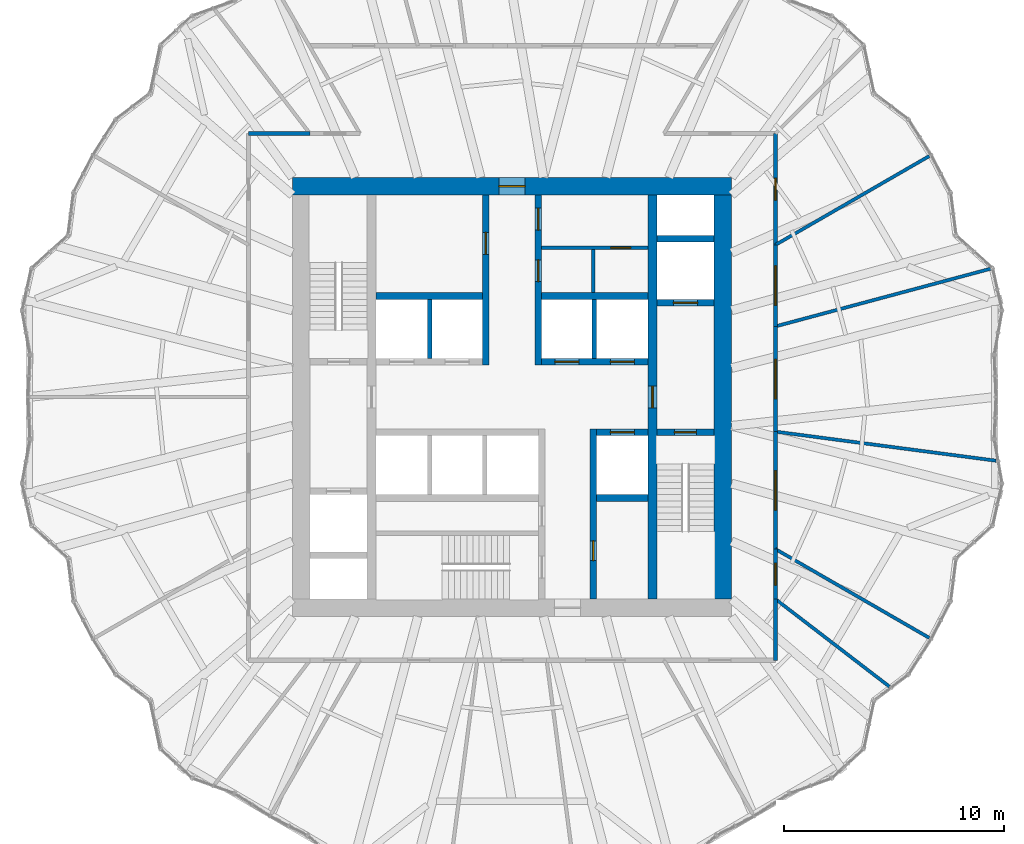
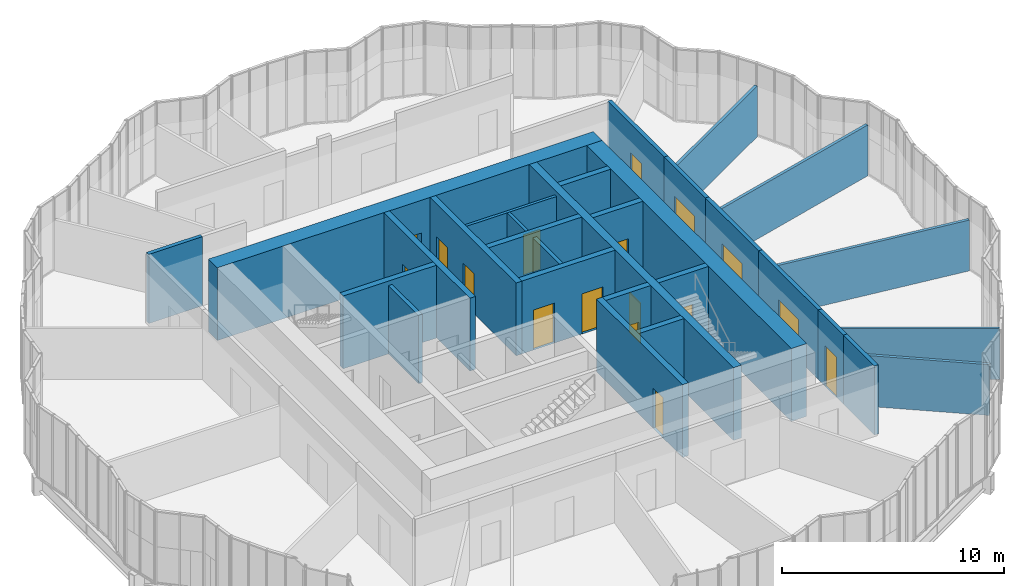
# One storey, part 21 of 23: 30 walls, 17 doors, 17 openings.
"""IFC4 building model written with IfcOpenShell, lengths in metres."""

from ifc_helpers import new_model, si_unit, direction, frame, frame_2d, origin, place, context, subcontext, project, spatial, rectangle, extrude, material, layer, layer_set, type_object, element, fill, save


model = new_model("IFC4")

# Units and contexts
model_context = context("Model", 3, precision=1e-05, world=origin(), true_north=direction((0.0, 1.0)))
body_context = subcontext(model_context, "Body", "Model", "MODEL_VIEW")
ifc_project = project(units=[si_unit("LENGTHUNIT", "METRE"), si_unit("AREAUNIT", "SQUARE_METRE"), si_unit("VOLUMEUNIT", "CUBIC_METRE"), si_unit("PLANEANGLEUNIT", "RADIAN"), si_unit("MASSUNIT", "GRAM", prefix="KILO")], contexts=[model_context])

# Site, building, storey
site_placement = place(None, origin())
site = spatial("IfcSite", under=ifc_project, at=site_placement, CompositionType="ELEMENT")
building_placement = place(site_placement, origin())
building = spatial("IfcBuilding", under=site, at=building_placement, Name="Golbaran Civic Tower", CompositionType="ELEMENT")
storey_placement = place(building_placement, frame((0.0, 0.0, 33.0)))
storey = spatial("IfcBuildingStorey", under=building, at=storey_placement, Name="L07", CompositionType="ELEMENT", Elevation=33.0)

# Wall, opening, door
ifc_material_1 = material(Name="Concrete block", Category="concrete")
ifc_layer_1 = layer(ifc_material_1, 0.14990234375, Name="Concrete block")
ifc_layer_set_1 = layer_set([ifc_layer_1], Name="Concrete block")
wall_type_1 = type_object("IfcWallType", Name="BLOCKWORK PARTITION 150", PredefinedType="PARTITIONING", material=ifc_layer_set_1)
wall_1_placement = place(storey_placement, frame((1.35009765625, 6.800048828125, 0.0), z_axis=(0.0, 0.0, 1.0), x_axis=(1.0, 0.0, 0.0)))
wall_1 = element("IfcWall", 1, at=wall_1_placement, inside=storey, type_object=wall_type_1, Name="Toilet block partition TN1 L07", PredefinedType="PARTITIONING", context=body_context, shape_type="SweptSolid", body=[
    extrude(rectangle(XDim=4.849853515625, YDim=0.14990234375, at=frame_2d((2.4248046875, 0.0))), origin(), (0.0, 0.0, 1.0), 3.75),
])
opening_1_placement = place(wall_1_placement, frame((3.14990234375, 0.0, 0.0)))
opening_1 = element("IfcOpeningElement", 2, at=opening_1_placement, cuts=wall_1, Name="Opening L07.CLN", PredefinedType="OPENING", context=body_context, shape_type="SweptSolid", body=[
    extrude(rectangle(XDim=0.89990234375, YDim=2.199951171875, at=frame_2d((0.449951171875, 1.10009765625))), frame((0.0, 0.0849609375, 0.0), z_axis=(0.0, -1.0, 0.0), x_axis=(1.0, 0.0, 0.0)), (0.0, 0.0, 1.0), 0.169921875),
])
ifc_material_2 = material(Name="Timber door set in steel frame", Category="steel")
door_type_1 = type_object("IfcDoorType", Name="RISER DOOR 900x2200", OperationType="SINGLE_SWING_LEFT", PredefinedType="DOOR", material=ifc_material_2)
door_1_placement = place(opening_1_placement, origin())
door_1 = element("IfcDoor", 3, at=door_1_placement, inside=storey, type_object=door_type_1, Name="Cleaner's Store door", OperationType="SINGLE_SWING_RIGHT", OverallHeight=2.199951171875, OverallWidth=0.89990234375, PredefinedType="DOOR", context=body_context, shape_type="SweptSolid", body=[
    extrude(rectangle(XDim=0.89990234375, YDim=2.199951171875, at=frame_2d((0.449951171875, 1.10009765625))), frame((0.0, 0.02490234375, 0.0), z_axis=(0.0, -1.0, 0.0), x_axis=(1.0, 0.0, 0.0)), (0.0, 0.0, 1.0), 0.050048828125),
])
fill(opening_1, door_1)

# Wall
wall_2_placement = place(storey_placement, frame((3.699951171875, 4.75, 0.0), z_axis=(0.0, 0.0, 1.0), x_axis=(0.0, 1.0, 0.0)))
element("IfcWall", 4, at=wall_2_placement, inside=storey, type_object=wall_type_1, Name="Toilet block partition TN2 L07", PredefinedType="PARTITIONING", context=body_context, shape_type="SweptSolid", body=[
    extrude(rectangle(XDim=1.97509765625, YDim=0.14990234375, at=frame_2d((0.987548828125, 0.0))), origin(), (0.0, 0.0, 1.0), 3.75),
])

# Wall, opening, door
ifc_material_3 = material(Name="Concrete C50/60", Category="concrete")
ifc_layer_2 = layer(ifc_material_3, 0.39990234375, Name="Concrete C50/60")
ifc_layer_set_2 = layer_set([ifc_layer_2], Name="Concrete C50/60")
wall_type_2 = type_object("IfcWallType", Name="CORE WALL CONCRETE 400", PredefinedType="SOLIDWALL", material=ifc_layer_set_2)
wall_3_placement = place(storey_placement, frame((6.39990234375, 9.199951171875, 0.0), z_axis=(0.0, 0.0, 1.0), x_axis=(0.0, -1.0, 0.0)))
wall_3 = element("IfcWall", 5, at=wall_3_placement, inside=storey, type_object=wall_type_2, Name="Core wall IE L07", PredefinedType="SOLIDWALL", context=body_context, shape_type="SweptSolid", body=[
    extrude(rectangle(XDim=18.39990234375, YDim=0.39990234375, at=frame_2d((9.199951171875, 0.0))), origin(), (0.0, 0.0, 1.0), 4.0),
])
opening_2_placement = place(wall_3_placement, frame((8.699951171875, 0.0, 0.0)))
opening_2 = element("IfcOpeningElement", 6, at=opening_2_placement, cuts=wall_3, Name="Opening L07.FL2", PredefinedType="OPENING", context=body_context, shape_type="SweptSolid", body=[
    extrude(rectangle(XDim=1.0, YDim=2.199951171875, at=frame_2d((0.5, 1.10009765625))), frame((0.0, 0.2099609375, 0.0), z_axis=(0.0, -1.0, 0.0), x_axis=(1.0, 0.0, 0.0)), (0.0, 0.0, 1.0), 0.419921875),
])
door_type_2 = type_object("IfcDoorType", Name="STAIR DOOR 1000x2200", OperationType="SINGLE_SWING_LEFT", PredefinedType="DOOR", material=ifc_material_2)
door_2_placement = place(opening_2_placement, origin())
door_2 = element("IfcDoor", 7, at=door_2_placement, inside=storey, type_object=door_type_2, Name="Fire-fighting lobby FL2 door", OperationType="SINGLE_SWING_RIGHT", OverallHeight=2.199951171875, OverallWidth=1.0, PredefinedType="DOOR", context=body_context, shape_type="SweptSolid", body=[
    extrude(rectangle(XDim=1.0, YDim=2.199951171875, at=frame_2d((0.5, 1.10009765625))), frame((0.0, 0.02490234375, 0.0), z_axis=(0.0, -1.0, 0.0), x_axis=(1.0, 0.0, 0.0)), (0.0, 0.0, 1.0), 0.050048828125),
])
fill(opening_2, door_2)

ifc_layer_3 = layer(ifc_material_3, 0.800048828125, Name="Concrete C50/60")
ifc_layer_set_3 = layer_set([ifc_layer_3], Name="Concrete C50/60")
wall_type_3 = type_object("IfcWallType", Name="CORE WALL CONCRETE 800", PredefinedType="SOLIDWALL", material=ifc_layer_set_3)
wall_4_placement = place(storey_placement, frame((-10.0, 9.60009765625, 0.0), z_axis=(0.0, 0.0, 1.0), x_axis=(1.0, 0.0, 0.0)))
wall_4 = element("IfcWall", 8, at=wall_4_placement, inside=storey, type_object=wall_type_3, Name="Core wall CN L07", PredefinedType="SOLIDWALL", context=body_context, shape_type="SweptSolid", body=[
    extrude(rectangle(XDim=20.0, YDim=0.800048828125, at=frame_2d((10.0, 0.0))), origin(), (0.0, 0.0, 1.0), 4.0),
])
opening_3_placement = place(wall_4_placement, frame((9.39990234375, 0.0, 0.0)))
opening_3 = element("IfcOpeningElement", 9, at=opening_3_placement, cuts=wall_4, Name="Opening L07.CN", PredefinedType="OPENING", context=body_context, shape_type="SweptSolid", body=[
    extrude(rectangle(XDim=1.199951171875, YDim=2.199951171875, at=frame_2d((0.60009765625, 1.10009765625))), frame((0.0, 0.409912109375, 0.0), z_axis=(0.0, -1.0, 0.0), x_axis=(1.0, 0.0, 0.0)), (0.0, 0.0, 1.0), 0.820068359375),
])
door_type_3 = type_object("IfcDoorType", Name="CORE DOOR 1200x2200", OperationType="DOUBLE_DOOR_SINGLE_SWING", PredefinedType="DOOR", material=ifc_material_2)
door_3_placement = place(opening_3_placement, origin())
door_3 = element("IfcDoor", 10, at=door_3_placement, inside=storey, type_object=door_type_3, Name="Core door north", OperationType="DOUBLE_DOOR_SINGLE_SWING", OverallHeight=2.199951171875, OverallWidth=1.199951171875, PredefinedType="DOOR", context=body_context, shape_type="SweptSolid", body=[
    extrude(rectangle(XDim=1.199951171875, YDim=2.199951171875, at=frame_2d((0.60009765625, 1.10009765625))), frame((0.0, 0.02490234375, 0.0), z_axis=(0.0, -1.0, 0.0), x_axis=(1.0, 0.0, 0.0)), (0.0, 0.0, 1.0), 0.050048828125),
])
fill(opening_3, door_3)

# Wall
wall_5_placement = place(storey_placement, frame((9.60009765625, -9.199951171875, 0.0), z_axis=(0.0, 0.0, 1.0), x_axis=(0.0, 1.0, 0.0)))
element("IfcWall", 11, at=wall_5_placement, inside=storey, type_object=wall_type_3, Name="Core wall CE L07", PredefinedType="SOLIDWALL", context=body_context, shape_type="SweptSolid", body=[
    extrude(rectangle(XDim=18.39990234375, YDim=0.800048828125, at=frame_2d((9.199951171875, 0.0))), origin(), (0.0, 0.0, 1.0), 4.0),
])

# Wall, opening, door
ifc_material_4 = material(Name="Gypsum board on steel studs, fire-rated", Category="steel")
ifc_layer_4 = layer(ifc_material_4, 0.199951171875, Name="Gypsum board on steel studs, fire-rated")
ifc_layer_set_4 = layer_set([ifc_layer_4], Name="Gypsum board on steel studs, fire-rated")
wall_type_4 = type_object("IfcWallType", Name="CORRIDOR WALL 200", PredefinedType="PARTITIONING", material=ifc_layer_set_4)
wall_6_placement = place(storey_placement, frame((12.0, -6.92822265625, 0.0), z_axis=(0.0, 0.0, 1.0), x_axis=(0.0, 1.0, 0.0)))
wall_6 = element("IfcWall", 12, at=wall_6_placement, inside=storey, type_object=wall_type_4, Name="Corridor wall L07", PredefinedType="PARTITIONING", context=body_context, shape_type="SweptSolid", body=[
    extrude(rectangle(XDim=5.348388671875, YDim=0.199951171875, at=frame_2d((2.67431640625, 0.0))), origin(), (0.0, 0.0, 1.0), 3.800048828125),
])
opening_4_placement = place(wall_6_placement, frame((1.774169921875, 0.0, 0.0)))
opening_4 = element("IfcOpeningElement", 13, at=opening_4_placement, cuts=wall_6, Name="Opening L07.05", PredefinedType="OPENING", context=body_context, shape_type="SweptSolid", body=[
    extrude(rectangle(XDim=1.800048828125, YDim=2.199951171875, at=frame_2d((0.89990234375, 1.10009765625))), frame((0.0, 0.10986328125, 0.0), z_axis=(0.0, -1.0, 0.0), x_axis=(1.0, 0.0, 0.0)), (0.0, 0.0, 1.0), 0.219970703125),
])
door_type_4 = type_object("IfcDoorType", Name="OFFICE DOUBLE DOOR 1800x2200", OperationType="DOUBLE_DOOR_SINGLE_SWING", PredefinedType="DOOR", material=ifc_material_2)
door_4_placement = place(opening_4_placement, origin())
door_4 = element("IfcDoor", 14, at=door_4_placement, inside=storey, type_object=door_type_4, Name="Open Office door L07", OperationType="DOUBLE_DOOR_SINGLE_SWING", OverallHeight=2.199951171875, OverallWidth=1.800048828125, PredefinedType="DOOR", context=body_context, shape_type="SweptSolid", body=[
    extrude(rectangle(XDim=1.800048828125, YDim=2.199951171875, at=frame_2d((0.89990234375, 1.10009765625))), frame((0.0, 0.02490234375, 0.0), z_axis=(0.0, -1.0, 0.0), x_axis=(1.0, 0.0, 0.0)), (0.0, 0.0, 1.0), 0.050048828125),
])
fill(opening_4, door_4)

wall_7_placement = place(storey_placement, frame((12.0, -1.579833984375, 0.0), z_axis=(0.0, 0.0, 1.0), x_axis=(0.0, 1.0, 0.0)))
wall_7 = element("IfcWall", 15, at=wall_7_placement, inside=storey, type_object=wall_type_4, Name="Corridor wall L07", PredefinedType="PARTITIONING", context=body_context, shape_type="SweptSolid", body=[
    extrude(rectangle(XDim=4.795166015625, YDim=0.199951171875, at=frame_2d((2.3974609375, 0.0))), origin(), (0.0, 0.0, 1.0), 3.800048828125),
])
opening_5_placement = place(wall_7_placement, frame((1.49755859375, 0.0, 0.0)))
opening_5 = element("IfcOpeningElement", 16, at=opening_5_placement, cuts=wall_7, Name="Opening L07.06", PredefinedType="OPENING", context=body_context, shape_type="SweptSolid", body=[
    extrude(rectangle(XDim=1.800048828125, YDim=2.199951171875, at=frame_2d((0.89990234375, 1.10009765625))), frame((0.0, 0.10986328125, 0.0), z_axis=(0.0, -1.0, 0.0), x_axis=(1.0, 0.0, 0.0)), (0.0, 0.0, 1.0), 0.219970703125),
])
door_5_placement = place(opening_5_placement, origin())
door_5 = element("IfcDoor", 17, at=door_5_placement, inside=storey, type_object=door_type_4, Name="Open Office door L07", OperationType="DOUBLE_DOOR_SINGLE_SWING", OverallHeight=2.199951171875, OverallWidth=1.800048828125, PredefinedType="DOOR", context=body_context, shape_type="SweptSolid", body=[
    extrude(rectangle(XDim=1.800048828125, YDim=2.199951171875, at=frame_2d((0.89990234375, 1.10009765625))), frame((0.0, 0.02490234375, 0.0), z_axis=(0.0, -1.0, 0.0), x_axis=(1.0, 0.0, 0.0)), (0.0, 0.0, 1.0), 0.050048828125),
])
fill(opening_5, door_5)

wall_8_placement = place(storey_placement, frame((12.0, 3.21533203125, 0.0), z_axis=(0.0, 0.0, 1.0), x_axis=(0.0, 1.0, 0.0)))
wall_8 = element("IfcWall", 18, at=wall_8_placement, inside=storey, type_object=wall_type_4, Name="Corridor wall L07", PredefinedType="PARTITIONING", context=body_context, shape_type="SweptSolid", body=[
    extrude(rectangle(XDim=3.712890625, YDim=0.199951171875, at=frame_2d((1.8564453125, 0.0))), origin(), (0.0, 0.0, 1.0), 3.800048828125),
])
opening_6_placement = place(wall_8_placement, frame((0.956298828125, 0.0, 0.0)))
opening_6 = element("IfcOpeningElement", 19, at=opening_6_placement, cuts=wall_8, Name="Opening L07.07", PredefinedType="OPENING", context=body_context, shape_type="SweptSolid", body=[
    extrude(rectangle(XDim=1.800048828125, YDim=2.199951171875, at=frame_2d((0.89990234375, 1.10009765625))), frame((0.0, 0.10986328125, 0.0), z_axis=(0.0, -1.0, 0.0), x_axis=(1.0, 0.0, 0.0)), (0.0, 0.0, 1.0), 0.219970703125),
])
door_6_placement = place(opening_6_placement, origin())
door_6 = element("IfcDoor", 20, at=door_6_placement, inside=storey, type_object=door_type_4, Name="Open Office door L07", OperationType="DOUBLE_DOOR_SINGLE_SWING", OverallHeight=2.199951171875, OverallWidth=1.800048828125, PredefinedType="DOOR", context=body_context, shape_type="SweptSolid", body=[
    extrude(rectangle(XDim=1.800048828125, YDim=2.199951171875, at=frame_2d((0.89990234375, 1.10009765625))), frame((0.0, 0.02490234375, 0.0), z_axis=(0.0, -1.0, 0.0), x_axis=(1.0, 0.0, 0.0)), (0.0, 0.0, 1.0), 0.050048828125),
])
fill(opening_6, door_6)

wall_9_placement = place(storey_placement, frame((12.0, 6.92822265625, 0.0), z_axis=(0.0, 0.0, 1.0), x_axis=(0.0, 1.0, 0.0)))
wall_9 = element("IfcWall", 21, at=wall_9_placement, inside=storey, type_object=wall_type_4, Name="Corridor wall L07", PredefinedType="PARTITIONING", context=body_context, shape_type="SweptSolid", body=[
    extrude(rectangle(XDim=5.07177734375, YDim=0.199951171875, at=frame_2d((2.535888671875, 0.0))), origin(), (0.0, 0.0, 1.0), 3.800048828125),
])
opening_7_placement = place(wall_9_placement, frame((2.035888671875, 0.0, 0.0)))
opening_7 = element("IfcOpeningElement", 22, at=opening_7_placement, cuts=wall_9, Name="Opening L07.08", PredefinedType="OPENING", context=body_context, shape_type="SweptSolid", body=[
    extrude(rectangle(XDim=1.0, YDim=2.199951171875, at=frame_2d((0.5, 1.10009765625))), frame((0.0, 0.10986328125, 0.0), z_axis=(0.0, -1.0, 0.0), x_axis=(1.0, 0.0, 0.0)), (0.0, 0.0, 1.0), 0.219970703125),
])
door_type_5 = type_object("IfcDoorType", Name="OFFICE DOOR 1000x2200", OperationType="SINGLE_SWING_LEFT", PredefinedType="DOOR", material=ifc_material_2)
door_7_placement = place(opening_7_placement, origin())
door_7 = element("IfcDoor", 23, at=door_7_placement, inside=storey, type_object=door_type_5, Name="Prayer Room door L07", OperationType="SINGLE_SWING_LEFT", OverallHeight=2.199951171875, OverallWidth=1.0, PredefinedType="DOOR", context=body_context, shape_type="SweptSolid", body=[
    extrude(rectangle(XDim=1.0, YDim=2.199951171875, at=frame_2d((0.5, 1.10009765625))), frame((0.0, 0.02490234375, 0.0), z_axis=(0.0, -1.0, 0.0), x_axis=(1.0, 0.0, 0.0)), (0.0, 0.0, 1.0), 0.050048828125),
])
fill(opening_7, door_7)

# Walls
for number, where, z_axis, x_axis, name in (
    (24, (-9.2080078125, 12.0, 0.0), (0.0, 0.0, 1.0), (-1.0, 0.0, 0.0), "Corridor wall L07"),
    (25, (12.0, -12.0, 0.0), (0.0, 0.0, 1.0), (0.0, 1.0, 0.0), "Corridor wall L07"),
):
    element("IfcWall", number, at=place(storey_placement, frame(where, z_axis=z_axis, x_axis=x_axis)), inside=storey, type_object=wall_type_4, Name=name, PredefinedType="PARTITIONING", context=body_context, shape_type="SweptSolid", body=[
        extrude(rectangle(XDim=2.7919921875, YDim=0.199951171875, at=frame_2d((1.39599609375, 0.0))), origin(), (0.0, 0.0, 1.0), 3.800048828125),
    ])

# Wall, opening, door
wall_10_placement = place(storey_placement, frame((12.0, -9.2080078125, 0.0), z_axis=(0.0, 0.0, 1.0), x_axis=(0.0, 1.0, 0.0)))
wall_10 = element("IfcWall", 26, at=wall_10_placement, inside=storey, type_object=wall_type_4, Name="Corridor wall L07", PredefinedType="PARTITIONING", context=body_context, shape_type="SweptSolid", body=[
    extrude(rectangle(XDim=2.27978515625, YDim=0.199951171875, at=frame_2d((1.139892578125, 0.0))), origin(), (0.0, 0.0, 1.0), 3.800048828125),
])
opening_8_placement = place(wall_10_placement, frame((0.639892578125, 0.0, 0.0)))
opening_8 = element("IfcOpeningElement", 27, at=opening_8_placement, cuts=wall_10, Name="Opening L07.20", PredefinedType="OPENING", context=body_context, shape_type="SweptSolid", body=[
    extrude(rectangle(XDim=1.0, YDim=2.199951171875, at=frame_2d((0.5, 1.10009765625))), frame((0.0, 0.10986328125, 0.0), z_axis=(0.0, -1.0, 0.0), x_axis=(1.0, 0.0, 0.0)), (0.0, 0.0, 1.0), 0.219970703125),
])
door_8_placement = place(opening_8_placement, origin())
door_8 = element("IfcDoor", 28, at=door_8_placement, inside=storey, type_object=door_type_5, Name="Store door L07", OperationType="SINGLE_SWING_LEFT", OverallHeight=2.199951171875, OverallWidth=1.0, PredefinedType="DOOR", context=body_context, shape_type="SweptSolid", body=[
    extrude(rectangle(XDim=1.0, YDim=2.199951171875, at=frame_2d((0.5, 1.10009765625))), frame((0.0, 0.02490234375, 0.0), z_axis=(0.0, -1.0, 0.0), x_axis=(1.0, 0.0, 0.0)), (0.0, 0.0, 1.0), 0.050048828125),
])
fill(opening_8, door_8)

# Walls
ifc_layer_5 = layer(ifc_material_1, 0.199951171875, Name="Concrete block")
ifc_layer_set_5 = layer_set([ifc_layer_5], Name="Concrete block")
wall_type_5 = type_object("IfcWallType", Name="LIFT SEPARATOR WALL 200", PredefinedType="SOLIDWALL", material=ifc_layer_set_5)
for number, where, z_axis, x_axis, name in (
    (29, (-3.75, 1.75, 0.0), (0.0, 0.0, 1.0), (0.0, 1.0, 0.0), "Core partition SNW L07"),
    (30, (3.75, 1.75, 0.0), (0.0, 0.0, 1.0), (0.0, 1.0, 0.0), "Core partition SNE L07"),
):
    element("IfcWall", number, at=place(storey_placement, frame(where, z_axis=z_axis, x_axis=x_axis)), inside=storey, type_object=wall_type_5, Name=name, PredefinedType="SOLIDWALL", context=body_context, shape_type="SweptSolid", body=[
        extrude(rectangle(XDim=2.699951171875, YDim=0.199951171875, at=frame_2d((1.35009765625, 0.0))), origin(), (0.0, 0.0, 1.0), 3.75),
    ])
ifc_material_5 = material(Name="Gypsum board on steel studs", Category="steel")
ifc_layer_6 = layer(ifc_material_5, 0.14990234375, Name="Gypsum board on steel studs")
ifc_layer_set_6 = layer_set([ifc_layer_6], Name="Gypsum board on steel studs")
wall_type_6 = type_object("IfcWallType", Name="OFFICE PARTITION 150", PredefinedType="PARTITIONING", material=ifc_layer_set_6)
wall_11_placement = place(storey_placement, frame((12.0, -6.92822265625, 0.0), z_axis=(0.0, 0.0, 1.0), x_axis=(0.866020891966, -0.500007814618, 0.0)))
element("IfcWall", 31, at=wall_11_placement, inside=storey, type_object=wall_type_6, Name="Partition 330 L07", PredefinedType="PARTITIONING", context=body_context, shape_type="SweptSolid", body=[
    extrude(rectangle(XDim=8.096923828125, YDim=0.14990234375, at=frame_2d((4.04833984375, 0.0))), origin(), (0.0, 0.0, 1.0), 2.7900390625),
])
wall_12_placement = place(storey_placement, frame((12.0, -1.579833984375, 0.0), z_axis=(0.0, 0.0, 1.0), x_axis=(0.99144576601, -0.13051932064, 0.0)))
element("IfcWall", 32, at=wall_12_placement, inside=storey, type_object=wall_type_6, Name="Partition 352.5 L07", PredefinedType="PARTITIONING", context=body_context, shape_type="SweptSolid", body=[
    extrude(rectangle(XDim=10.134521484375, YDim=0.14990234375, at=frame_2d((5.0673828125, 0.0))), origin(), (0.0, 0.0, 1.0), 2.7900390625),
])
wall_13_placement = place(storey_placement, frame((12.0, 3.21533203125, 0.0), z_axis=(0.0, 0.0, 1.0), x_axis=(0.965923250335, 0.258828658504, 0.0)))
element("IfcWall", 33, at=wall_13_placement, inside=storey, type_object=wall_type_6, Name="Partition 15 L07", PredefinedType="PARTITIONING", context=body_context, shape_type="SweptSolid", body=[
    extrude(rectangle(XDim=10.150390625, YDim=0.14990234375, at=frame_2d((5.0751953125, 0.0))), origin(), (0.0, 0.0, 1.0), 2.7900390625),
])
wall_14_placement = place(storey_placement, frame((12.0, 6.92822265625, 0.0), z_axis=(0.0, 0.0, 1.0), x_axis=(0.866020891966, 0.500007814618, 0.0)))
element("IfcWall", 34, at=wall_14_placement, inside=storey, type_object=wall_type_6, Name="Partition 30 L07", PredefinedType="PARTITIONING", context=body_context, shape_type="SweptSolid", body=[
    extrude(rectangle(XDim=8.096923828125, YDim=0.14990234375, at=frame_2d((4.04833984375, 0.0))), origin(), (0.0, 0.0, 1.0), 2.7900390625),
])
wall_15_placement = place(storey_placement, frame((12.0, -9.2080078125, 0.0), z_axis=(0.0, 0.0, 1.0), x_axis=(0.793348710976, -0.608767462003, 0.0)))
element("IfcWall", 35, at=wall_15_placement, inside=storey, type_object=wall_type_6, Name="Partition 322.5 L07", PredefinedType="PARTITIONING", context=body_context, shape_type="SweptSolid", body=[
    extrude(rectangle(XDim=6.544677734375, YDim=0.14990234375, at=frame_2d((3.2724609375, 0.0))), origin(), (0.0, 0.0, 1.0), 2.7900390625),
])

# Wall, openings, doors
ifc_layer_7 = layer(ifc_material_3, 0.300048828125, Name="Concrete C50/60")
ifc_layer_set_7 = layer_set([ifc_layer_7], Name="Concrete C50/60")
wall_type_7 = type_object("IfcWallType", Name="SHAFT WALL CONCRETE 300", PredefinedType="SOLIDWALL", material=ifc_layer_set_7)
wall_16_placement = place(storey_placement, frame((1.35009765625, 1.60009765625, 0.0), z_axis=(0.0, 0.0, 1.0), x_axis=(1.0, 0.0, 0.0)))
wall_16 = element("IfcWall", 36, at=wall_16_placement, inside=storey, type_object=wall_type_7, Name="Core wall FNE L07", PredefinedType="SOLIDWALL", context=body_context, shape_type="SweptSolid", body=[
    extrude(rectangle(XDim=4.849853515625, YDim=0.300048828125, at=frame_2d((2.4248046875, 0.0))), origin(), (0.0, 0.0, 1.0), 4.0),
])
opening_9_placement = place(wall_16_placement, frame((0.60009765625, 0.0, 0.0)))
opening_9 = element("IfcOpeningElement", 37, at=opening_9_placement, cuts=wall_16, Name="Opening L07.LD-Z3L", PredefinedType="OPENING", context=body_context, shape_type="SweptSolid", body=[
    extrude(rectangle(XDim=1.10009765625, YDim=2.199951171875, at=frame_2d((0.550048828125, 1.10009765625))), frame((0.0, 0.159912109375, 0.0), z_axis=(0.0, -1.0, 0.0), x_axis=(1.0, 0.0, 0.0)), (0.0, 0.0, 1.0), 0.320068359375),
])
opening_10_placement = place(wall_16_placement, frame((3.125, 0.0, 0.0)))
opening_10 = element("IfcOpeningElement", 38, at=opening_10_placement, cuts=wall_16, Name="Opening L07.LD-Z4L", PredefinedType="OPENING", context=body_context, shape_type="SweptSolid", body=[
    extrude(rectangle(XDim=1.10009765625, YDim=2.199951171875, at=frame_2d((0.550048828125, 1.10009765625))), frame((0.0, 0.159912109375, 0.0), z_axis=(0.0, -1.0, 0.0), x_axis=(1.0, 0.0, 0.0)), (0.0, 0.0, 1.0), 0.320068359375),
])
ifc_material_6 = material(Name="Stainless steel", Category="steel")
door_type_6 = type_object("IfcDoorType", Name="LIFT LANDING DOOR 1100x2200", OperationType="SLIDING_TO_LEFT", PredefinedType="DOOR", material=ifc_material_6)
door_9_placement = place(opening_9_placement, origin())
door_9 = element("IfcDoor", 39, at=door_9_placement, inside=storey, type_object=door_type_6, Name="Lift landing door Z3L", OperationType="SLIDING_TO_LEFT", OverallHeight=2.199951171875, OverallWidth=1.10009765625, PredefinedType="DOOR", context=body_context, shape_type="SweptSolid", body=[
    extrude(rectangle(XDim=1.10009765625, YDim=2.199951171875, at=frame_2d((0.550048828125, 1.10009765625))), frame((0.0, 0.02490234375, 0.0), z_axis=(0.0, -1.0, 0.0), x_axis=(1.0, 0.0, 0.0)), (0.0, 0.0, 1.0), 0.050048828125),
])
fill(opening_9, door_9)
door_10_placement = place(opening_10_placement, origin())
door_10 = element("IfcDoor", 40, at=door_10_placement, inside=storey, type_object=door_type_6, Name="Lift landing door Z4L", OperationType="SLIDING_TO_LEFT", OverallHeight=2.199951171875, OverallWidth=1.10009765625, PredefinedType="DOOR", context=body_context, shape_type="SweptSolid", body=[
    extrude(rectangle(XDim=1.10009765625, YDim=2.199951171875, at=frame_2d((0.550048828125, 1.10009765625))), frame((0.0, 0.02490234375, 0.0), z_axis=(0.0, -1.0, 0.0), x_axis=(1.0, 0.0, 0.0)), (0.0, 0.0, 1.0), 0.050048828125),
])
fill(opening_10, door_10)

# Walls
for number, where, z_axis, x_axis, name in (
    (41, (-6.199951171875, 4.60009765625, 0.0), (0.0, 0.0, 1.0), (1.0, 0.0, 0.0), "Core wall BNW L07"),
    (42, (1.35009765625, 4.60009765625, 0.0), (0.0, 0.0, 1.0), (1.0, 0.0, 0.0), "Core wall BNE L07"),
):
    element("IfcWall", number, at=place(storey_placement, frame(where, z_axis=z_axis, x_axis=x_axis)), inside=storey, type_object=wall_type_7, Name=name, PredefinedType="SOLIDWALL", context=body_context, shape_type="SweptSolid", body=[
        extrude(rectangle(XDim=4.849853515625, YDim=0.300048828125, at=frame_2d((2.4248046875, 0.0))), origin(), (0.0, 0.0, 1.0), 4.0),
    ])

# Wall, opening, door
wall_17_placement = place(storey_placement, frame((-1.199951171875, 1.449951171875, 0.0), z_axis=(0.0, 0.0, 1.0), x_axis=(0.0, 1.0, 0.0)))
wall_17 = element("IfcWall", 43, at=wall_17_placement, inside=storey, type_object=wall_type_7, Name="Core wall PNW L07", PredefinedType="SOLIDWALL", context=body_context, shape_type="SweptSolid", body=[
    extrude(rectangle(XDim=7.75, YDim=0.300048828125, at=frame_2d((3.875, 0.0))), origin(), (0.0, 0.0, 1.0), 4.0),
])
opening_11_placement = place(wall_17_placement, frame((5.050048828125, 0.0, 0.0)))
opening_11 = element("IfcOpeningElement", 44, at=opening_11_placement, cuts=wall_17, Name="Opening L07.WCM", PredefinedType="OPENING", context=body_context, shape_type="SweptSolid", body=[
    extrude(rectangle(XDim=1.0, YDim=2.199951171875, at=frame_2d((0.5, 1.10009765625))), frame((0.0, 0.159912109375, 0.0), z_axis=(0.0, -1.0, 0.0), x_axis=(1.0, 0.0, 0.0)), (0.0, 0.0, 1.0), 0.320068359375),
])
door_type_7 = type_object("IfcDoorType", Name="TOILET DOOR 1000x2200", OperationType="SINGLE_SWING_LEFT", PredefinedType="DOOR", material=ifc_material_2)
door_11_placement = place(opening_11_placement, origin())
door_11 = element("IfcDoor", 45, at=door_11_placement, inside=storey, type_object=door_type_7, Name="North-west toilet block door", OperationType="SINGLE_SWING_RIGHT", OverallHeight=2.199951171875, OverallWidth=1.0, PredefinedType="DOOR", context=body_context, shape_type="SweptSolid", body=[
    extrude(rectangle(XDim=1.0, YDim=2.199951171875, at=frame_2d((0.5, 1.10009765625))), frame((0.0, 0.02490234375, 0.0), z_axis=(0.0, -1.0, 0.0), x_axis=(1.0, 0.0, 0.0)), (0.0, 0.0, 1.0), 0.050048828125),
])
fill(opening_11, door_11)

# Wall, openings, doors
wall_18_placement = place(storey_placement, frame((1.199951171875, 1.449951171875, 0.0), z_axis=(0.0, 0.0, 1.0), x_axis=(0.0, 1.0, 0.0)))
wall_18 = element("IfcWall", 46, at=wall_18_placement, inside=storey, type_object=wall_type_7, Name="Core wall PNE L07", PredefinedType="SOLIDWALL", context=body_context, shape_type="SweptSolid", body=[
    extrude(rectangle(XDim=7.75, YDim=0.300048828125, at=frame_2d((3.875, 0.0))), origin(), (0.0, 0.0, 1.0), 4.0),
])
opening_12_placement = place(wall_18_placement, frame((3.800048828125, 0.0, 0.0)))
opening_12 = element("IfcOpeningElement", 47, at=opening_12_placement, cuts=wall_18, Name="Opening L07.WCA", PredefinedType="OPENING", context=body_context, shape_type="SweptSolid", body=[
    extrude(rectangle(XDim=1.0, YDim=2.199951171875, at=frame_2d((0.5, 1.10009765625))), frame((0.0, 0.159912109375, 0.0), z_axis=(0.0, -1.0, 0.0), x_axis=(1.0, 0.0, 0.0)), (0.0, 0.0, 1.0), 0.320068359375),
])
opening_13_placement = place(wall_18_placement, frame((6.14990234375, 0.0, 0.0)))
opening_13 = element("IfcOpeningElement", 48, at=opening_13_placement, cuts=wall_18, Name="Opening L07.WCF", PredefinedType="OPENING", context=body_context, shape_type="SweptSolid", body=[
    extrude(rectangle(XDim=1.0, YDim=2.199951171875, at=frame_2d((0.5, 1.10009765625))), frame((0.0, 0.159912109375, 0.0), z_axis=(0.0, -1.0, 0.0), x_axis=(1.0, 0.0, 0.0)), (0.0, 0.0, 1.0), 0.320068359375),
])
door_12_placement = place(opening_12_placement, origin())
door_12 = element("IfcDoor", 49, at=door_12_placement, inside=storey, type_object=door_type_7, Name="Accessible WC door", OperationType="SINGLE_SWING_RIGHT", OverallHeight=2.199951171875, OverallWidth=1.0, PredefinedType="DOOR", context=body_context, shape_type="SweptSolid", body=[
    extrude(rectangle(XDim=1.0, YDim=2.199951171875, at=frame_2d((0.5, 1.10009765625))), frame((0.0, 0.02490234375, 0.0), z_axis=(0.0, -1.0, 0.0), x_axis=(1.0, 0.0, 0.0)), (0.0, 0.0, 1.0), 0.050048828125),
])
fill(opening_12, door_12)
door_13_placement = place(opening_13_placement, origin())
door_13 = element("IfcDoor", 50, at=door_13_placement, inside=storey, type_object=door_type_7, Name="North-east toilet block door", OperationType="SINGLE_SWING_RIGHT", OverallHeight=2.199951171875, OverallWidth=1.0, PredefinedType="DOOR", context=body_context, shape_type="SweptSolid", body=[
    extrude(rectangle(XDim=1.0, YDim=2.199951171875, at=frame_2d((0.5, 1.10009765625))), frame((0.0, 0.02490234375, 0.0), z_axis=(0.0, -1.0, 0.0), x_axis=(1.0, 0.0, 0.0)), (0.0, 0.0, 1.0), 0.050048828125),
])
fill(opening_13, door_13)

# Wall, opening, door
wall_19_placement = place(storey_placement, frame((3.85009765625, -1.60009765625, 0.0), z_axis=(0.0, 0.0, 1.0), x_axis=(1.0, 0.0, 0.0)))
wall_19 = element("IfcWall", 51, at=wall_19_placement, inside=storey, type_object=wall_type_7, Name="Core wall FSE L07", PredefinedType="SOLIDWALL", context=body_context, shape_type="SweptSolid", body=[
    extrude(rectangle(XDim=2.349853515625, YDim=0.300048828125, at=frame_2d((1.1748046875, 0.0))), origin(), (0.0, 0.0, 1.0), 4.0),
])
opening_14_placement = place(wall_19_placement, frame((0.625, 0.0, 0.0)))
opening_14 = element("IfcOpeningElement", 52, at=opening_14_placement, cuts=wall_19, Name="Opening L07.LD-V1", PredefinedType="OPENING", context=body_context, shape_type="SweptSolid", body=[
    extrude(rectangle(XDim=1.10009765625, YDim=2.199951171875, at=frame_2d((0.550048828125, 1.10009765625))), frame((0.0, 0.159912109375, 0.0), z_axis=(0.0, -1.0, 0.0), x_axis=(1.0, 0.0, 0.0)), (0.0, 0.0, 1.0), 0.320068359375),
])
door_14_placement = place(opening_14_placement, origin())
door_14 = element("IfcDoor", 53, at=door_14_placement, inside=storey, type_object=door_type_6, Name="Lift landing door V1", OperationType="SLIDING_TO_LEFT", OverallHeight=2.199951171875, OverallWidth=1.10009765625, PredefinedType="DOOR", context=body_context, shape_type="SweptSolid", body=[
    extrude(rectangle(XDim=1.10009765625, YDim=2.199951171875, at=frame_2d((0.550048828125, 1.10009765625))), frame((0.0, 0.02490234375, 0.0), z_axis=(0.0, -1.0, 0.0), x_axis=(1.0, 0.0, 0.0)), (0.0, 0.0, 1.0), 0.050048828125),
])
fill(opening_14, door_14)

# Wall
wall_20_placement = place(storey_placement, frame((3.85009765625, -4.60009765625, 0.0), z_axis=(0.0, 0.0, 1.0), x_axis=(1.0, 0.0, 0.0)))
element("IfcWall", 54, at=wall_20_placement, inside=storey, type_object=wall_type_7, Name="Core wall BSE L07", PredefinedType="SOLIDWALL", context=body_context, shape_type="SweptSolid", body=[
    extrude(rectangle(XDim=2.349853515625, YDim=0.300048828125, at=frame_2d((1.1748046875, 0.0))), origin(), (0.0, 0.0, 1.0), 4.0),
])

# Wall, opening, door
wall_21_placement = place(storey_placement, frame((3.699951171875, -1.449951171875, 0.0), z_axis=(0.0, 0.0, 1.0), x_axis=(0.0, -1.0, 0.0)))
wall_21 = element("IfcWall", 55, at=wall_21_placement, inside=storey, type_object=wall_type_7, Name="Core wall PSE L07", PredefinedType="SOLIDWALL", context=body_context, shape_type="SweptSolid", body=[
    extrude(rectangle(XDim=7.75, YDim=0.300048828125, at=frame_2d((3.875, 0.0))), origin(), (0.0, 0.0, 1.0), 4.0),
])
opening_15_placement = place(wall_21_placement, frame((5.10009765625, 0.0, 0.0)))
opening_15 = element("IfcOpeningElement", 56, at=opening_15_placement, cuts=wall_21, Name="Opening L07.RM", PredefinedType="OPENING", context=body_context, shape_type="SweptSolid", body=[
    extrude(rectangle(XDim=0.89990234375, YDim=2.199951171875, at=frame_2d((0.449951171875, 1.10009765625))), frame((0.0, 0.159912109375, 0.0), z_axis=(0.0, -1.0, 0.0), x_axis=(1.0, 0.0, 0.0)), (0.0, 0.0, 1.0), 0.320068359375),
])
door_15_placement = place(opening_15_placement, origin())
door_15 = element("IfcDoor", 57, at=door_15_placement, inside=storey, type_object=door_type_1, Name="Mechanical riser door", OperationType="SINGLE_SWING_RIGHT", OverallHeight=2.199951171875, OverallWidth=0.89990234375, PredefinedType="DOOR", context=body_context, shape_type="SweptSolid", body=[
    extrude(rectangle(XDim=0.89990234375, YDim=2.199951171875, at=frame_2d((0.449951171875, 1.10009765625))), frame((0.0, 0.02490234375, 0.0), z_axis=(0.0, -1.0, 0.0), x_axis=(1.0, 0.0, 0.0)), (0.0, 0.0, 1.0), 0.050048828125),
])
fill(opening_15, door_15)

wall_22_placement = place(storey_placement, frame((6.60009765625, -1.60009765625, 0.0), z_axis=(0.0, 0.0, 1.0), x_axis=(1.0, 0.0, 0.0)))
wall_22 = element("IfcWall", 58, at=wall_22_placement, inside=storey, type_object=wall_type_7, Name="Core wall XE1 L07", PredefinedType="SOLIDWALL", context=body_context, shape_type="SweptSolid", body=[
    extrude(rectangle(XDim=2.599853515625, YDim=0.300048828125, at=frame_2d((1.2998046875, 0.0))), origin(), (0.0, 0.0, 1.0), 4.0),
])
opening_16_placement = place(wall_22_placement, frame((0.800048828125, 0.0, 0.0)))
opening_16 = element("IfcOpeningElement", 59, at=opening_16_placement, cuts=wall_22, Name="Opening L07.S2", PredefinedType="OPENING", context=body_context, shape_type="SweptSolid", body=[
    extrude(rectangle(XDim=1.0, YDim=2.199951171875, at=frame_2d((0.5, 1.10009765625))), frame((0.0, 0.159912109375, 0.0), z_axis=(0.0, -1.0, 0.0), x_axis=(1.0, 0.0, 0.0)), (0.0, 0.0, 1.0), 0.320068359375),
])
door_16_placement = place(opening_16_placement, origin())
door_16 = element("IfcDoor", 60, at=door_16_placement, inside=storey, type_object=door_type_2, Name="Stair S2 door", OperationType="SINGLE_SWING_LEFT", OverallHeight=2.199951171875, OverallWidth=1.0, PredefinedType="DOOR", context=body_context, shape_type="SweptSolid", body=[
    extrude(rectangle(XDim=1.0, YDim=2.199951171875, at=frame_2d((0.5, 1.10009765625))), frame((0.0, 0.02490234375, 0.0), z_axis=(0.0, -1.0, 0.0), x_axis=(1.0, 0.0, 0.0)), (0.0, 0.0, 1.0), 0.050048828125),
])
fill(opening_16, door_16)

wall_23_placement = place(storey_placement, frame((6.60009765625, 4.300048828125, 0.0), z_axis=(0.0, 0.0, 1.0), x_axis=(1.0, 0.0, 0.0)))
wall_23 = element("IfcWall", 61, at=wall_23_placement, inside=storey, type_object=wall_type_7, Name="Core wall XE2 L07", PredefinedType="SOLIDWALL", context=body_context, shape_type="SweptSolid", body=[
    extrude(rectangle(XDim=2.599853515625, YDim=0.300048828125, at=frame_2d((1.2998046875, 0.0))), origin(), (0.0, 0.0, 1.0), 4.0),
])
opening_17_placement = place(wall_23_placement, frame((0.75, 0.0, 0.0)))
opening_17 = element("IfcOpeningElement", 62, at=opening_17_placement, cuts=wall_23, Name="Opening L07.LD-F2", PredefinedType="OPENING", context=body_context, shape_type="SweptSolid", body=[
    extrude(rectangle(XDim=1.10009765625, YDim=2.199951171875, at=frame_2d((0.550048828125, 1.10009765625))), frame((0.0, 0.159912109375, 0.0), z_axis=(0.0, -1.0, 0.0), x_axis=(1.0, 0.0, 0.0)), (0.0, 0.0, 1.0), 0.320068359375),
])
door_17_placement = place(opening_17_placement, origin())
door_17 = element("IfcDoor", 63, at=door_17_placement, inside=storey, type_object=door_type_6, Name="Lift landing door F2", OperationType="SLIDING_TO_LEFT", OverallHeight=2.199951171875, OverallWidth=1.10009765625, PredefinedType="DOOR", context=body_context, shape_type="SweptSolid", body=[
    extrude(rectangle(XDim=1.10009765625, YDim=2.199951171875, at=frame_2d((0.550048828125, 1.10009765625))), frame((0.0, 0.02490234375, 0.0), z_axis=(0.0, -1.0, 0.0), x_axis=(1.0, 0.0, 0.0)), (0.0, 0.0, 1.0), 0.050048828125),
])
fill(opening_17, door_17)

# Wall
wall_24_placement = place(storey_placement, frame((6.60009765625, 7.199951171875, 0.0), z_axis=(0.0, 0.0, 1.0), x_axis=(1.0, 0.0, 0.0)))
element("IfcWall", 64, at=wall_24_placement, inside=storey, type_object=wall_type_7, Name="Core wall XE3 L07", PredefinedType="SOLIDWALL", context=body_context, shape_type="SweptSolid", body=[
    extrude(rectangle(XDim=2.599853515625, YDim=0.300048828125, at=frame_2d((1.2998046875, 0.0))), origin(), (0.0, 0.0, 1.0), 4.0),
])

save(model, "model.ifc")
